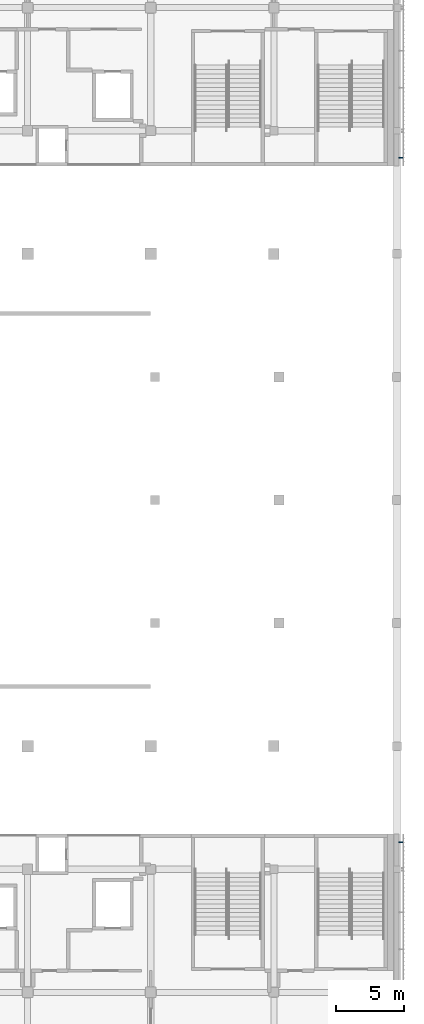
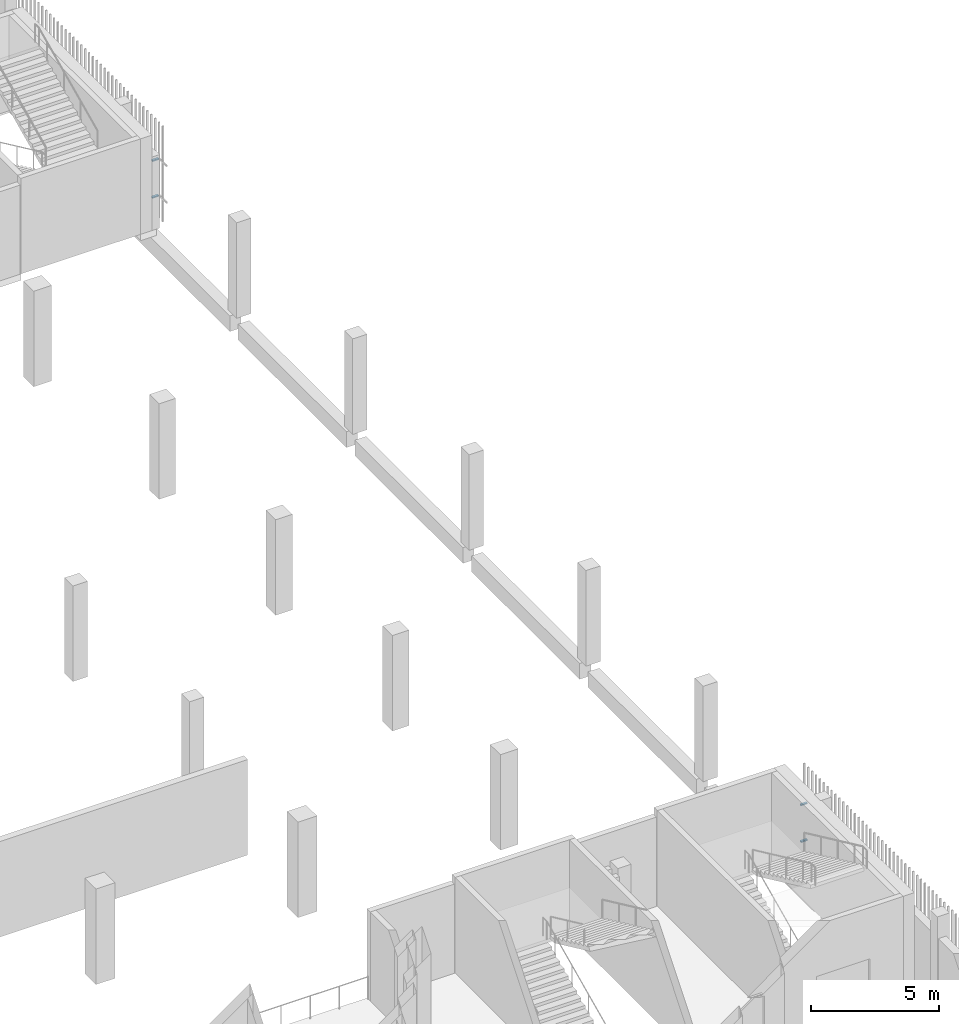
# One storey, part 85 of 104: 4 discrete accessories.
"""IFC4 building model written with IfcOpenShell, lengths in metres."""

from ifc_helpers import new_model, si_unit, direction, frame, origin, origin_2d, place, context, subcontext, project, spatial, rectangle, extrude, material, type_object, element, save


model = new_model("IFC4")

# Units and contexts
model_context = context("Model", 3, precision=1e-05, world=origin(), true_north=direction((0.0, 1.0)))
body_context = subcontext(model_context, "Body", "Model", "MODEL_VIEW")
ifc_project = project(units=[si_unit("LENGTHUNIT", "METRE"), si_unit("AREAUNIT", "SQUARE_METRE"), si_unit("VOLUMEUNIT", "CUBIC_METRE"), si_unit("PLANEANGLEUNIT", "RADIAN"), si_unit("MASSUNIT", "GRAM", prefix="KILO")], contexts=[model_context])

# Site, building, storey
site_placement = place(None, origin())
site = spatial("IfcSite", under=ifc_project, at=site_placement, CompositionType="ELEMENT")
building_placement = place(site_placement, origin())
building = spatial("IfcBuilding", under=site, at=building_placement, Name="Shirokan Park Arena", CompositionType="ELEMENT")
storey_placement = place(building_placement, frame((0.0, 0.0, 10.919921875)))
storey = spatial("IfcBuildingStorey", under=building, at=storey_placement, Name="L02", CompositionType="ELEMENT", Elevation=10.919921875)

# Discrete accessories
ifc_material = material(Name="Steel S355", Category="steel")
discrete_accessory_type = type_object("IfcDiscreteAccessoryType", Name="Veil bracket 100x60", PredefinedType="BRACKET", material=ifc_material)
for number, where, z_axis, x_axis, name in (
    (1, (145.8974609375, 29.300048828125, 1.070068359375), (0.0, 0.0, 1.0), (0.0, 1.0, 0.0), "Veil bracket east bay 4 L02 2"),
    (2, (145.8974609375, 29.300048828125, 2.820068359375), (0.0, 0.0, 1.0), (0.0, 1.0, 0.0), "Veil bracket east bay 4 L02 4"),
    (3, (145.8974609375, 79.89990234375, 1.070068359375), (0.0, 0.0, 1.0), (0.0, 1.0, 0.0), "Veil bracket east bay 9 L02 1"),
    (4, (145.8974609375, 79.89990234375, 2.820068359375), (0.0, 0.0, 1.0), (0.0, 1.0, 0.0), "Veil bracket east bay 9 L02 3"),
):
    element("IfcDiscreteAccessory", number, at=place(storey_placement, frame(where, z_axis=z_axis, x_axis=x_axis)), inside=storey, type_object=discrete_accessory_type, Name=name, PredefinedType="BRACKET", context=body_context, shape_type="SweptSolid", body=[
        extrude(rectangle(XDim=0.10009765625, YDim=0.294921875, at=origin_2d()), origin(), (0.0, 0.0, 1.0), 0.06005859375),
    ])

save(model, "model.ifc")
